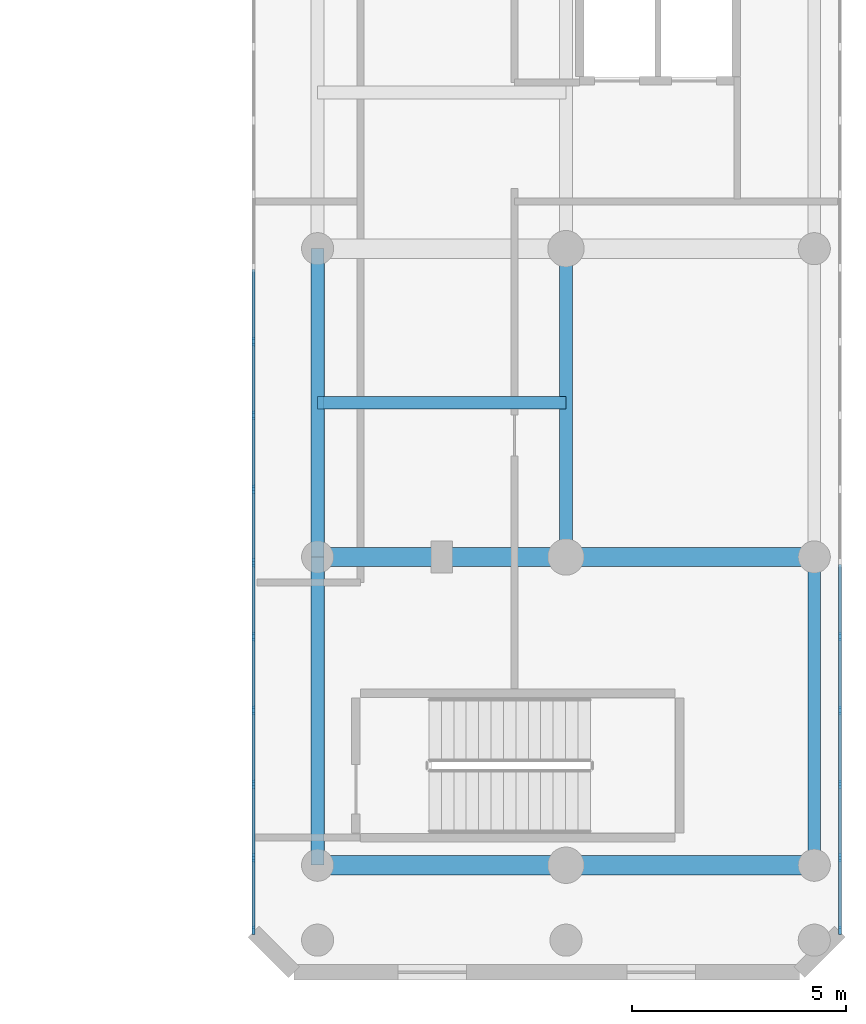
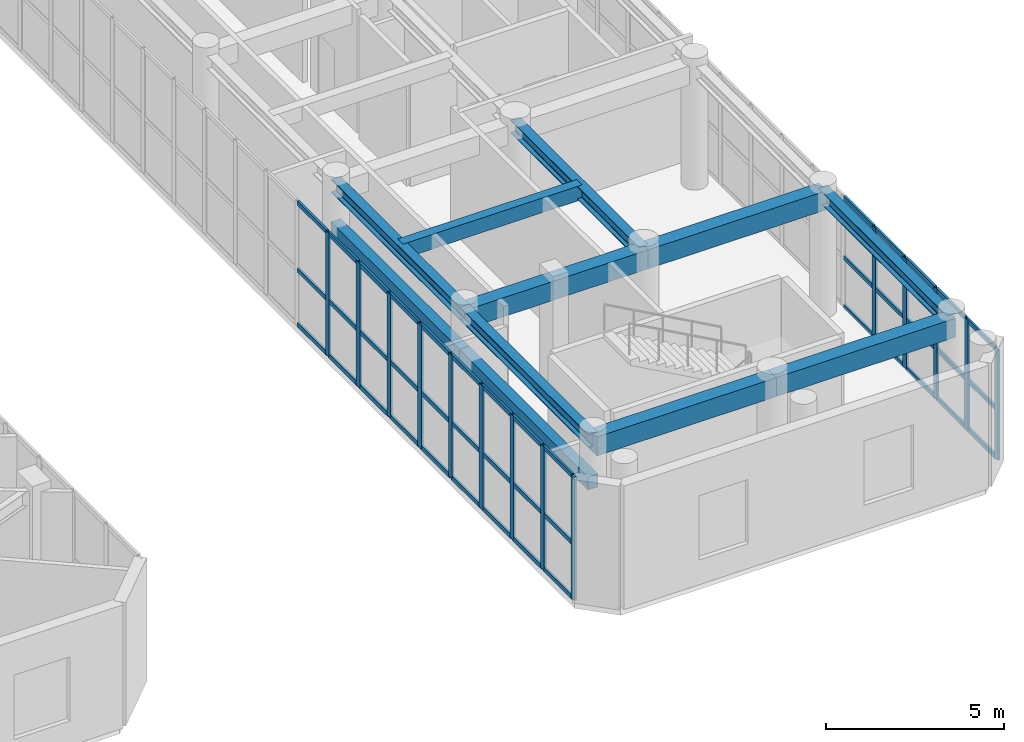
# One storey, part 5 of 24: 56 members, 11 beams, 2 elements without a shape of their own.
"""IFC4 building model written with IfcOpenShell, lengths in metres."""

from ifc_helpers import new_model, si_unit, direction, frame, origin, origin_with_axes, origin_2d, place, context, subcontext, project, spatial, rectangle, i_section, extrude, source, transform, mapped, material, layer, layer_set, material_profile, profile_set, type_object, element, aggregate, save


model = new_model("IFC4")

# Units and contexts
model_context = context("Model", 3, precision=1e-05, world=origin(), true_north=direction((0.0, 1.0)))
body_context = subcontext(model_context, "Body", "Model", "MODEL_VIEW")
ifc_project = project(units=[si_unit("LENGTHUNIT", "METRE"), si_unit("AREAUNIT", "SQUARE_METRE"), si_unit("VOLUMEUNIT", "CUBIC_METRE"), si_unit("PLANEANGLEUNIT", "RADIAN"), si_unit("MASSUNIT", "GRAM", prefix="KILO")], contexts=[model_context])

# Site, building, storey
site_placement = place(None, origin())
site = spatial("IfcSite", under=ifc_project, at=site_placement, CompositionType="ELEMENT")
building_placement = place(site_placement, origin())
building = spatial("IfcBuilding", under=site, at=building_placement, Name="Karkom Vertical University and Central Library", CompositionType="ELEMENT")
storey_placement = place(building_placement, frame((0.0, 0.0, 13.5)))
storey = spatial("IfcBuildingStorey", under=building, at=storey_placement, Name="L03", CompositionType="ELEMENT", Elevation=13.5)

# Beams
ifc_material_1 = material(Name="Concrete C40/50", Category="concrete")
ifc_material_profile_1 = material_profile(ifc_material_1, rectangle(XDim=0.449951171875, YDim=0.64990234375, at=origin_2d()), Name="RCB-450x650")
ifc_profile_set_1 = profile_set([ifc_material_profile_1], Name="Concrete C40/50")
beam_type_1 = type_object("IfcBeamType", Name="STR-BM-BG-4", PredefinedType="USERDEFINED", material=ifc_profile_set_1)
shared_shape_1 = source(origin_with_axes(), body_context, "Body", "SweptSolid", [
    extrude(rectangle(XDim=0.449951171875, YDim=0.64990234375, at=origin_2d()), origin(), (0.0, 0.0, 1.0), 5.7998046875),
])
for number, where, z_axis, x_axis, name in (
    (1, (69.60009765625, 4.800048828125, 3.89990234375), (1.0, 0.0, 0.0), (0.0, 1.0, 0.0), "Level 03 Library Transverse Girder 1.1"),
    (2, (69.60009765625, 12.0, 3.89990234375), (1.0, 0.0, 0.0), (0.0, 1.0, 0.0), "Level 03 Library Transverse Girder 2.1"),
):
    element("IfcBeam", number, at=place(storey_placement, frame(where, z_axis=z_axis, x_axis=x_axis)), inside=storey, type_object=beam_type_1, Name=name, ObjectType="GIRDER", PredefinedType="USERDEFINED", context=body_context, shape_type="MappedRepresentation", body=[
        mapped(shared_shape_1, transform((0.0, 0.0, 0.0), scale=1.0)),
    ])
shared_shape_2 = source(origin_with_axes(), body_context, "Body", "SweptSolid", [
    extrude(rectangle(XDim=0.449951171875, YDim=0.64990234375, at=origin_2d()), origin(), (0.0, 0.0, 1.0), 5.800048828125),
])
for number, where, z_axis, x_axis, name in (
    (3, (75.39990234375, 4.800048828125, 3.89990234375), (1.0, 0.0, 0.0), (0.0, 1.0, 0.0), "Level 03 Library Transverse Girder 1.2"),
    (4, (75.39990234375, 12.0, 3.89990234375), (1.0, 0.0, 0.0), (0.0, 1.0, 0.0), "Level 03 Library Transverse Girder 2.2"),
):
    element("IfcBeam", number, at=place(storey_placement, frame(where, z_axis=z_axis, x_axis=x_axis)), inside=storey, type_object=beam_type_1, Name=name, ObjectType="GIRDER", PredefinedType="USERDEFINED", context=body_context, shape_type="MappedRepresentation", body=[
        mapped(shared_shape_2, transform((0.0, 0.0, 0.0), scale=1.0)),
    ])
ifc_material_2 = material(Name="Steel S355", Category="steel")
ifc_material_profile_2 = material_profile(ifc_material_2, i_section(OverallWidth=0.300048828125, OverallDepth=0.449951171875, WebThickness=0.013916015625, FlangeThickness=0.02587890625, FilletRadius=0.027099609375, at=origin_2d()), Name="HE 450 B")
ifc_profile_set_2 = profile_set([ifc_material_profile_2], Name="Steel S355")
beam_type_2 = type_object("IfcBeamType", Name="STR-BM-SB-HE450", PredefinedType="BEAM", material=ifc_profile_set_2)
shared_shape_3 = source(origin_with_axes(), body_context, "Body", "SweptSolid", [
    extrude(i_section(OverallWidth=0.300048828125, OverallDepth=0.449951171875, WebThickness=0.013916015625, FlangeThickness=0.02587890625, FilletRadius=0.027099609375, at=origin_2d()), origin(), (0.0, 0.0, 1.0), 7.199951171875),
])
for number, where, z_axis, x_axis, name in (
    (5, (69.60009765625, 4.800048828125, 4.0), (0.0, 1.0, 0.0), (-1.0, 0.0, 0.0), "Level 03 Library Longitudinal Beam 1.1"),
    (6, (69.60009765625, 12.0, 4.0), (0.0, 1.0, 0.0), (-1.0, 0.0, 0.0), "Level 03 Library Longitudinal Beam 1.2"),
    (7, (75.39990234375, 12.0, 4.0), (0.0, 1.0, 0.0), (-1.0, 0.0, 0.0), "Level 03 Library Longitudinal Beam 2.2"),
    (8, (81.199951171875, 4.800048828125, 4.0), (0.0, 1.0, 0.0), (-1.0, 0.0, 0.0), "Level 03 Library Longitudinal Beam 3.1"),
):
    element("IfcBeam", number, at=place(storey_placement, frame(where, z_axis=z_axis, x_axis=x_axis)), inside=storey, type_object=beam_type_2, Name=name, PredefinedType="BEAM", context=body_context, shape_type="MappedRepresentation", body=[
        mapped(shared_shape_3, transform((0.0, 0.0, 0.0), scale=1.0)),
    ])
ifc_material_profile_3 = material_profile(ifc_material_1, rectangle(XDim=0.300048828125, YDim=0.5, at=origin_2d()), Name="RCJ-300x500")
ifc_profile_set_3 = profile_set([ifc_material_profile_3], Name="Concrete C40/50")
beam_type_3 = type_object("IfcBeamType", Name="STR-BM-JS-1", PredefinedType="JOIST", material=ifc_profile_set_3)
shared_shape_4 = source(origin_with_axes(), body_context, "Body", "SweptSolid", [
    extrude(rectangle(XDim=0.300048828125, YDim=0.5, at=origin_2d()), origin(), (0.0, 0.0, 1.0), 5.7998046875),
])
beam_placement = place(storey_placement, frame((69.60009765625, 15.60009765625, 3.97509765625), z_axis=(1.0, 0.0, 0.0), x_axis=(0.0, 1.0, 0.0)))
element("IfcBeam", 9, at=beam_placement, inside=storey, type_object=beam_type_3, Name="Level 03 Library Reading Coffered Joist 2", PredefinedType="JOIST", context=body_context, shape_type="MappedRepresentation", body=[
    mapped(shared_shape_4, transform((0.0, 0.0, 0.0), scale=1.0)),
])
ifc_material_3 = material(Name="Precast concrete C45/55", Category="concrete")
ifc_material_profile_4 = material_profile(ifc_material_3, rectangle(XDim=0.320068359375, YDim=0.449951171875, at=origin_2d()), Name="RCL-320x450")
ifc_profile_set_4 = profile_set([ifc_material_profile_4], Name="Precast concrete C45/55")
beam_type_4 = type_object("IfcBeamType", Name="STR-BM-LN-1", PredefinedType="LINTEL", material=ifc_profile_set_4)
shared_shape_5 = source(origin_with_axes(), body_context, "Body", "SweptSolid", [
    extrude(rectangle(XDim=0.320068359375, YDim=0.449951171875, at=origin_2d()), origin(), (0.0, 0.0, 1.0), 7.199951171875),
])
for number, where, z_axis, x_axis, name in (
    (10, (69.60009765625, 4.800048828125, 2.550048828125), (0.0, 1.0, 0.0), (-1.0, 0.0, 0.0), "Level 03 Brutalist Concrete Portal Lintel 1"),
    (11, (69.60009765625, 12.0, 2.550048828125), (0.0, 1.0, 0.0), (-1.0, 0.0, 0.0), "Level 03 Brutalist Concrete Portal Lintel 2"),
):
    element("IfcBeam", number, at=place(storey_placement, frame(where, z_axis=z_axis, x_axis=x_axis)), inside=storey, type_object=beam_type_4, Name=name, PredefinedType="LINTEL", context=body_context, shape_type="MappedRepresentation", body=[
        mapped(shared_shape_5, transform((0.0, 0.0, 0.0), scale=1.0)),
    ])

# Curtain wall, members
ifc_material_4 = material(Name="Aluminium curtain-wall framing and low-E IGU", Category="aluminium")
ifc_layer = layer(ifc_material_4, 0.199951171875)
ifc_layer_set = layer_set([ifc_layer], Name="Aluminium curtain-wall framing and low-E IGU")
curtain_wall_type = type_object("IfcCurtainWallType", Name="ENV-CW-1", PredefinedType="USERDEFINED", material=ifc_layer_set)
curtain_wall_1_placement = place(storey_placement, origin())
curtain_wall_1 = element("IfcCurtainWall", 12, at=curtain_wall_1_placement, inside=storey, type_object=curtain_wall_type, Name="Level 03 CW-1 Curtain Wall Level 03-CW-1-LIB-3", ObjectType="STICK MULLION GLAZING", PredefinedType="USERDEFINED")
ifc_material_5 = material(Name="Anodised Aluminium 6063-T6", Category="aluminium")
ifc_material_profile_5 = material_profile(ifc_material_5, rectangle(XDim=0.070068359375, YDim=0.199951171875, at=origin_2d()), Name="ALU-M70x200")
ifc_profile_set_5 = profile_set([ifc_material_profile_5], Name="Anodised Aluminium 6063-T6")
member_type_1 = type_object("IfcMemberType", Name="ENV-MEM-ALU-M70x200", PredefinedType="MULLION", material=ifc_profile_set_5)
shared_shape_6 = source(origin_with_axes(), body_context, "Body", "SweptSolid", [
    extrude(rectangle(XDim=0.070068359375, YDim=0.199951171875, at=origin_2d()), origin(), (0.0, 0.0, 1.0), 3.77490234375),
])
member_1_placement = place(storey_placement, frame((81.800048828125, 3.284912109375, 0.0), z_axis=(0.0, 0.0, 1.0), x_axis=(-1.0, 0.0, 0.0)))
member_1 = element("IfcMember", 13, at=member_1_placement, type_object=member_type_1, Name="CW-1 mullion 1", PredefinedType="MULLION", context=body_context, shape_type="MappedRepresentation", body=[
    mapped(shared_shape_6, transform((0.0, 0.0, 0.0), scale=1.0)),
])
member_2_placement = place(storey_placement, frame((81.800048828125, 4.97216796875, 0.0), z_axis=(0.0, 0.0, 1.0), x_axis=(-1.0, 0.0, 0.0)))
member_2 = element("IfcMember", 14, at=member_2_placement, type_object=member_type_1, Name="CW-1 mullion 2", PredefinedType="MULLION", context=body_context, shape_type="MappedRepresentation", body=[
    mapped(shared_shape_6, transform((0.0, 0.0, 0.0), scale=1.0)),
])
member_3_placement = place(storey_placement, frame((81.800048828125, 6.6943359375, 0.0), z_axis=(0.0, 0.0, 1.0), x_axis=(-1.0, 0.0, 0.0)))
member_3 = element("IfcMember", 15, at=member_3_placement, type_object=member_type_1, Name="CW-1 mullion 3", PredefinedType="MULLION", context=body_context, shape_type="MappedRepresentation", body=[
    mapped(shared_shape_6, transform((0.0, 0.0, 0.0), scale=1.0)),
])
member_4_placement = place(storey_placement, frame((81.800048828125, 8.416748046875, 0.0), z_axis=(0.0, 0.0, 1.0), x_axis=(-1.0, 0.0, 0.0)))
member_4 = element("IfcMember", 16, at=member_4_placement, type_object=member_type_1, Name="CW-1 mullion 4", PredefinedType="MULLION", context=body_context, shape_type="MappedRepresentation", body=[
    mapped(shared_shape_6, transform((0.0, 0.0, 0.0), scale=1.0)),
])
member_5_placement = place(storey_placement, frame((81.800048828125, 10.138916015625, 0.0), z_axis=(0.0, 0.0, 1.0), x_axis=(-1.0, 0.0, 0.0)))
member_5 = element("IfcMember", 17, at=member_5_placement, type_object=member_type_1, Name="CW-1 mullion 5", PredefinedType="MULLION", context=body_context, shape_type="MappedRepresentation", body=[
    mapped(shared_shape_6, transform((0.0, 0.0, 0.0), scale=1.0)),
])
ifc_material_profile_6 = material_profile(ifc_material_5, rectangle(XDim=0.070068359375, YDim=0.14990234375, at=origin_2d()), Name="ALU-T70x150")
ifc_profile_set_6 = profile_set([ifc_material_profile_6], Name="Anodised Aluminium 6063-T6")
member_type_2 = type_object("IfcMemberType", Name="ENV-MEM-ALU-T70x150", PredefinedType="USERDEFINED", material=ifc_profile_set_6)
shared_shape_7 = source(origin_with_axes(), body_context, "Body", "SweptSolid", [
    extrude(rectangle(XDim=0.070068359375, YDim=0.14990234375, at=origin_2d()), origin(), (0.0, 0.0, 1.0), 1.6171875),
])
member_6_placement = place(storey_placement, frame((81.800048828125, 3.320068359375, 0.034912109375), z_axis=(0.0, 1.0, 0.0), x_axis=(-1.0, 0.0, 0.0)))
member_6 = element("IfcMember", 18, at=member_6_placement, type_object=member_type_2, Name="CW-1 transom 1.1", ObjectType="TRANSOM", PredefinedType="USERDEFINED", context=body_context, shape_type="MappedRepresentation", body=[
    mapped(shared_shape_7, transform((0.0, 0.0, 0.0), scale=1.0)),
])
member_7_placement = place(storey_placement, frame((81.800048828125, 3.320068359375, 1.69873046875), z_axis=(0.0, 1.0, 0.0), x_axis=(-1.0, 0.0, 0.0)))
member_7 = element("IfcMember", 19, at=member_7_placement, type_object=member_type_2, Name="CW-1 transom 1.2", ObjectType="TRANSOM", PredefinedType="USERDEFINED", context=body_context, shape_type="MappedRepresentation", body=[
    mapped(shared_shape_7, transform((0.0, 0.0, 0.0), scale=1.0)),
])
member_8_placement = place(storey_placement, frame((81.800048828125, 3.320068359375, 3.739990234375), z_axis=(0.0, 1.0, 0.0), x_axis=(-1.0, 0.0, 0.0)))
member_8 = element("IfcMember", 20, at=member_8_placement, type_object=member_type_2, Name="CW-1 transom 1.3", ObjectType="TRANSOM", PredefinedType="USERDEFINED", context=body_context, shape_type="MappedRepresentation", body=[
    mapped(shared_shape_7, transform((0.0, 0.0, 0.0), scale=1.0)),
])

curtain_wall_2_placement = place(storey_placement, origin())
curtain_wall_2 = element("IfcCurtainWall", 21, at=curtain_wall_2_placement, inside=storey, type_object=curtain_wall_type, Name="Level 03 CW-1 Curtain Wall Level 03-CW-1-LIB-7", ObjectType="STICK MULLION GLAZING", PredefinedType="USERDEFINED")
member_9_placement = place(storey_placement, frame((68.10009765625, 4.937255859375, 0.034912109375), z_axis=(0.0, -1.0, 0.0), x_axis=(1.0, 0.0, 0.0)))
member_9 = element("IfcMember", 22, at=member_9_placement, type_object=member_type_2, Name="CW-1 transom 27.1", ObjectType="TRANSOM", PredefinedType="USERDEFINED", context=body_context, shape_type="MappedRepresentation", body=[
    mapped(shared_shape_7, transform((0.0, 0.0, 0.0), scale=1.0)),
])
member_10_placement = place(storey_placement, frame((68.10009765625, 4.937255859375, 1.901123046875), z_axis=(0.0, -1.0, 0.0), x_axis=(1.0, 0.0, 0.0)))
member_10 = element("IfcMember", 23, at=member_10_placement, type_object=member_type_2, Name="CW-1 transom 27.2", ObjectType="TRANSOM", PredefinedType="USERDEFINED", context=body_context, shape_type="MappedRepresentation", body=[
    mapped(shared_shape_7, transform((0.0, 0.0, 0.0), scale=1.0)),
])
member_11_placement = place(storey_placement, frame((68.10009765625, 4.937255859375, 4.18994140625), z_axis=(0.0, -1.0, 0.0), x_axis=(1.0, 0.0, 0.0)))
member_11 = element("IfcMember", 24, at=member_11_placement, type_object=member_type_2, Name="CW-1 transom 27.3", ObjectType="TRANSOM", PredefinedType="USERDEFINED", context=body_context, shape_type="MappedRepresentation", body=[
    mapped(shared_shape_7, transform((0.0, 0.0, 0.0), scale=1.0)),
])

# Member
shared_shape_8 = source(origin_with_axes(), body_context, "Body", "SweptSolid", [
    extrude(rectangle(XDim=0.070068359375, YDim=0.14990234375, at=origin_2d()), origin(), (0.0, 0.0, 1.0), 1.652099609375),
])
member_12_placement = place(storey_placement, frame((81.800048828125, 5.00732421875, 0.034912109375), z_axis=(0.0, 1.0, 0.0), x_axis=(-1.0, 0.0, 0.0)))
member_12 = element("IfcMember", 25, at=member_12_placement, type_object=member_type_2, Name="CW-1 transom 2.1", ObjectType="TRANSOM", PredefinedType="USERDEFINED", context=body_context, shape_type="MappedRepresentation", body=[
    mapped(shared_shape_8, transform((0.0, 0.0, 0.0), scale=1.0)),
])

member_13_placement = place(storey_placement, frame((81.800048828125, 5.00732421875, 1.69873046875), z_axis=(0.0, 1.0, 0.0), x_axis=(-1.0, 0.0, 0.0)))
member_13 = element("IfcMember", 26, at=member_13_placement, type_object=member_type_2, Name="CW-1 transom 2.2", ObjectType="TRANSOM", PredefinedType="USERDEFINED", context=body_context, shape_type="MappedRepresentation", body=[
    mapped(shared_shape_8, transform((0.0, 0.0, 0.0), scale=1.0)),
])

member_14_placement = place(storey_placement, frame((81.800048828125, 5.00732421875, 3.739990234375), z_axis=(0.0, 1.0, 0.0), x_axis=(-1.0, 0.0, 0.0)))
member_14 = element("IfcMember", 27, at=member_14_placement, type_object=member_type_2, Name="CW-1 transom 2.3", ObjectType="TRANSOM", PredefinedType="USERDEFINED", context=body_context, shape_type="MappedRepresentation", body=[
    mapped(shared_shape_8, transform((0.0, 0.0, 0.0), scale=1.0)),
])

member_15_placement = place(storey_placement, frame((81.800048828125, 6.7294921875, 0.034912109375), z_axis=(0.0, 1.0, 0.0), x_axis=(-1.0, 0.0, 0.0)))
member_15 = element("IfcMember", 28, at=member_15_placement, type_object=member_type_2, Name="CW-1 transom 3.1", ObjectType="TRANSOM", PredefinedType="USERDEFINED", context=body_context, shape_type="MappedRepresentation", body=[
    mapped(shared_shape_8, transform((0.0, 0.0, 0.0), scale=1.0)),
])

member_16_placement = place(storey_placement, frame((81.800048828125, 6.7294921875, 1.69873046875), z_axis=(0.0, 1.0, 0.0), x_axis=(-1.0, 0.0, 0.0)))
member_16 = element("IfcMember", 29, at=member_16_placement, type_object=member_type_2, Name="CW-1 transom 3.2", ObjectType="TRANSOM", PredefinedType="USERDEFINED", context=body_context, shape_type="MappedRepresentation", body=[
    mapped(shared_shape_8, transform((0.0, 0.0, 0.0), scale=1.0)),
])

member_17_placement = place(storey_placement, frame((81.800048828125, 6.7294921875, 3.739990234375), z_axis=(0.0, 1.0, 0.0), x_axis=(-1.0, 0.0, 0.0)))
member_17 = element("IfcMember", 30, at=member_17_placement, type_object=member_type_2, Name="CW-1 transom 3.3", ObjectType="TRANSOM", PredefinedType="USERDEFINED", context=body_context, shape_type="MappedRepresentation", body=[
    mapped(shared_shape_8, transform((0.0, 0.0, 0.0), scale=1.0)),
])

member_18_placement = place(storey_placement, frame((68.10009765625, 16.99267578125, 0.034912109375), z_axis=(0.0, -1.0, 0.0), x_axis=(1.0, 0.0, 0.0)))
member_18 = element("IfcMember", 31, at=member_18_placement, type_object=member_type_2, Name="CW-1 transom 20.1", ObjectType="TRANSOM", PredefinedType="USERDEFINED", context=body_context, shape_type="MappedRepresentation", body=[
    mapped(shared_shape_8, transform((0.0, 0.0, 0.0), scale=1.0)),
])

member_19_placement = place(storey_placement, frame((68.10009765625, 16.99267578125, 1.901123046875), z_axis=(0.0, -1.0, 0.0), x_axis=(1.0, 0.0, 0.0)))
member_19 = element("IfcMember", 32, at=member_19_placement, type_object=member_type_2, Name="CW-1 transom 20.2", ObjectType="TRANSOM", PredefinedType="USERDEFINED", context=body_context, shape_type="MappedRepresentation", body=[
    mapped(shared_shape_8, transform((0.0, 0.0, 0.0), scale=1.0)),
])

member_20_placement = place(storey_placement, frame((68.10009765625, 16.99267578125, 4.18994140625), z_axis=(0.0, -1.0, 0.0), x_axis=(1.0, 0.0, 0.0)))
member_20 = element("IfcMember", 33, at=member_20_placement, type_object=member_type_2, Name="CW-1 transom 20.3", ObjectType="TRANSOM", PredefinedType="USERDEFINED", context=body_context, shape_type="MappedRepresentation", body=[
    mapped(shared_shape_8, transform((0.0, 0.0, 0.0), scale=1.0)),
])

member_21_placement = place(storey_placement, frame((68.10009765625, 15.2705078125, 0.034912109375), z_axis=(0.0, -1.0, 0.0), x_axis=(1.0, 0.0, 0.0)))
member_21 = element("IfcMember", 34, at=member_21_placement, type_object=member_type_2, Name="CW-1 transom 21.1", ObjectType="TRANSOM", PredefinedType="USERDEFINED", context=body_context, shape_type="MappedRepresentation", body=[
    mapped(shared_shape_8, transform((0.0, 0.0, 0.0), scale=1.0)),
])

member_22_placement = place(storey_placement, frame((68.10009765625, 15.2705078125, 1.901123046875), z_axis=(0.0, -1.0, 0.0), x_axis=(1.0, 0.0, 0.0)))
member_22 = element("IfcMember", 35, at=member_22_placement, type_object=member_type_2, Name="CW-1 transom 21.2", ObjectType="TRANSOM", PredefinedType="USERDEFINED", context=body_context, shape_type="MappedRepresentation", body=[
    mapped(shared_shape_8, transform((0.0, 0.0, 0.0), scale=1.0)),
])

member_23_placement = place(storey_placement, frame((68.10009765625, 15.2705078125, 4.18994140625), z_axis=(0.0, -1.0, 0.0), x_axis=(1.0, 0.0, 0.0)))
member_23 = element("IfcMember", 36, at=member_23_placement, type_object=member_type_2, Name="CW-1 transom 21.3", ObjectType="TRANSOM", PredefinedType="USERDEFINED", context=body_context, shape_type="MappedRepresentation", body=[
    mapped(shared_shape_8, transform((0.0, 0.0, 0.0), scale=1.0)),
])

member_24_placement = place(storey_placement, frame((68.10009765625, 8.381591796875, 0.034912109375), z_axis=(0.0, -1.0, 0.0), x_axis=(1.0, 0.0, 0.0)))
member_24 = element("IfcMember", 37, at=member_24_placement, type_object=member_type_2, Name="CW-1 transom 25.1", ObjectType="TRANSOM", PredefinedType="USERDEFINED", context=body_context, shape_type="MappedRepresentation", body=[
    mapped(shared_shape_8, transform((0.0, 0.0, 0.0), scale=1.0)),
])

member_25_placement = place(storey_placement, frame((68.10009765625, 8.381591796875, 1.901123046875), z_axis=(0.0, -1.0, 0.0), x_axis=(1.0, 0.0, 0.0)))
member_25 = element("IfcMember", 38, at=member_25_placement, type_object=member_type_2, Name="CW-1 transom 25.2", ObjectType="TRANSOM", PredefinedType="USERDEFINED", context=body_context, shape_type="MappedRepresentation", body=[
    mapped(shared_shape_8, transform((0.0, 0.0, 0.0), scale=1.0)),
])

member_26_placement = place(storey_placement, frame((68.10009765625, 8.381591796875, 4.18994140625), z_axis=(0.0, -1.0, 0.0), x_axis=(1.0, 0.0, 0.0)))
member_26 = element("IfcMember", 39, at=member_26_placement, type_object=member_type_2, Name="CW-1 transom 25.3", ObjectType="TRANSOM", PredefinedType="USERDEFINED", context=body_context, shape_type="MappedRepresentation", body=[
    mapped(shared_shape_8, transform((0.0, 0.0, 0.0), scale=1.0)),
])

member_27_placement = place(storey_placement, frame((68.10009765625, 6.659423828125, 0.034912109375), z_axis=(0.0, -1.0, 0.0), x_axis=(1.0, 0.0, 0.0)))
member_27 = element("IfcMember", 40, at=member_27_placement, type_object=member_type_2, Name="CW-1 transom 26.1", ObjectType="TRANSOM", PredefinedType="USERDEFINED", context=body_context, shape_type="MappedRepresentation", body=[
    mapped(shared_shape_8, transform((0.0, 0.0, 0.0), scale=1.0)),
])

member_28_placement = place(storey_placement, frame((68.10009765625, 6.659423828125, 1.901123046875), z_axis=(0.0, -1.0, 0.0), x_axis=(1.0, 0.0, 0.0)))
member_28 = element("IfcMember", 41, at=member_28_placement, type_object=member_type_2, Name="CW-1 transom 26.2", ObjectType="TRANSOM", PredefinedType="USERDEFINED", context=body_context, shape_type="MappedRepresentation", body=[
    mapped(shared_shape_8, transform((0.0, 0.0, 0.0), scale=1.0)),
])

member_29_placement = place(storey_placement, frame((68.10009765625, 6.659423828125, 4.18994140625), z_axis=(0.0, -1.0, 0.0), x_axis=(1.0, 0.0, 0.0)))
member_29 = element("IfcMember", 42, at=member_29_placement, type_object=member_type_2, Name="CW-1 transom 26.3", ObjectType="TRANSOM", PredefinedType="USERDEFINED", context=body_context, shape_type="MappedRepresentation", body=[
    mapped(shared_shape_8, transform((0.0, 0.0, 0.0), scale=1.0)),
])

shared_shape_9 = source(origin_with_axes(), body_context, "Body", "SweptSolid", [
    extrude(rectangle(XDim=0.070068359375, YDim=0.14990234375, at=origin_2d()), origin(), (0.0, 0.0, 1.0), 1.65234375),
])
member_30_placement = place(storey_placement, frame((81.800048828125, 8.45166015625, 0.034912109375), z_axis=(0.0, 1.0, 0.0), x_axis=(-1.0, 0.0, 0.0)))
member_30 = element("IfcMember", 43, at=member_30_placement, type_object=member_type_2, Name="CW-1 transom 4.1", ObjectType="TRANSOM", PredefinedType="USERDEFINED", context=body_context, shape_type="MappedRepresentation", body=[
    mapped(shared_shape_9, transform((0.0, 0.0, 0.0), scale=1.0)),
])

member_31_placement = place(storey_placement, frame((81.800048828125, 8.45166015625, 1.69873046875), z_axis=(0.0, 1.0, 0.0), x_axis=(-1.0, 0.0, 0.0)))
member_31 = element("IfcMember", 44, at=member_31_placement, type_object=member_type_2, Name="CW-1 transom 4.2", ObjectType="TRANSOM", PredefinedType="USERDEFINED", context=body_context, shape_type="MappedRepresentation", body=[
    mapped(shared_shape_9, transform((0.0, 0.0, 0.0), scale=1.0)),
])

member_32_placement = place(storey_placement, frame((81.800048828125, 8.45166015625, 3.739990234375), z_axis=(0.0, 1.0, 0.0), x_axis=(-1.0, 0.0, 0.0)))
member_32 = element("IfcMember", 45, at=member_32_placement, type_object=member_type_2, Name="CW-1 transom 4.3", ObjectType="TRANSOM", PredefinedType="USERDEFINED", context=body_context, shape_type="MappedRepresentation", body=[
    mapped(shared_shape_9, transform((0.0, 0.0, 0.0), scale=1.0)),
])

member_33_placement = place(storey_placement, frame((81.800048828125, 10.173828125, 0.034912109375), z_axis=(0.0, 1.0, 0.0), x_axis=(-1.0, 0.0, 0.0)))
member_33 = element("IfcMember", 46, at=member_33_placement, type_object=member_type_2, Name="CW-1 transom 5.1", ObjectType="TRANSOM", PredefinedType="USERDEFINED", context=body_context, shape_type="MappedRepresentation", body=[
    mapped(shared_shape_9, transform((0.0, 0.0, 0.0), scale=1.0)),
])

member_34_placement = place(storey_placement, frame((81.800048828125, 10.173828125, 1.69873046875), z_axis=(0.0, 1.0, 0.0), x_axis=(-1.0, 0.0, 0.0)))
member_34 = element("IfcMember", 47, at=member_34_placement, type_object=member_type_2, Name="CW-1 transom 5.2", ObjectType="TRANSOM", PredefinedType="USERDEFINED", context=body_context, shape_type="MappedRepresentation", body=[
    mapped(shared_shape_9, transform((0.0, 0.0, 0.0), scale=1.0)),
])

member_35_placement = place(storey_placement, frame((81.800048828125, 10.173828125, 3.739990234375), z_axis=(0.0, 1.0, 0.0), x_axis=(-1.0, 0.0, 0.0)))
member_35 = element("IfcMember", 48, at=member_35_placement, type_object=member_type_2, Name="CW-1 transom 5.3", ObjectType="TRANSOM", PredefinedType="USERDEFINED", context=body_context, shape_type="MappedRepresentation", body=[
    mapped(shared_shape_9, transform((0.0, 0.0, 0.0), scale=1.0)),
])

aggregate(curtain_wall_1, [member_1, member_2, member_3, member_4, member_5, member_6, member_7, member_8, member_12, member_13, member_14, member_15, member_16, member_17, member_30, member_31, member_32, member_33, member_34, member_35])

member_36_placement = place(storey_placement, frame((68.10009765625, 18.715087890625, 0.034912109375), z_axis=(0.0, -1.0, 0.0), x_axis=(1.0, 0.0, 0.0)))
member_36 = element("IfcMember", 49, at=member_36_placement, type_object=member_type_2, Name="CW-1 transom 19.1", ObjectType="TRANSOM", PredefinedType="USERDEFINED", context=body_context, shape_type="MappedRepresentation", body=[
    mapped(shared_shape_9, transform((0.0, 0.0, 0.0), scale=1.0)),
])

member_37_placement = place(storey_placement, frame((68.10009765625, 18.715087890625, 1.901123046875), z_axis=(0.0, -1.0, 0.0), x_axis=(1.0, 0.0, 0.0)))
member_37 = element("IfcMember", 50, at=member_37_placement, type_object=member_type_2, Name="CW-1 transom 19.2", ObjectType="TRANSOM", PredefinedType="USERDEFINED", context=body_context, shape_type="MappedRepresentation", body=[
    mapped(shared_shape_9, transform((0.0, 0.0, 0.0), scale=1.0)),
])

member_38_placement = place(storey_placement, frame((68.10009765625, 18.715087890625, 4.18994140625), z_axis=(0.0, -1.0, 0.0), x_axis=(1.0, 0.0, 0.0)))
member_38 = element("IfcMember", 51, at=member_38_placement, type_object=member_type_2, Name="CW-1 transom 19.3", ObjectType="TRANSOM", PredefinedType="USERDEFINED", context=body_context, shape_type="MappedRepresentation", body=[
    mapped(shared_shape_9, transform((0.0, 0.0, 0.0), scale=1.0)),
])

member_39_placement = place(storey_placement, frame((68.10009765625, 13.54833984375, 0.034912109375), z_axis=(0.0, -1.0, 0.0), x_axis=(1.0, 0.0, 0.0)))
member_39 = element("IfcMember", 52, at=member_39_placement, type_object=member_type_2, Name="CW-1 transom 22.1", ObjectType="TRANSOM", PredefinedType="USERDEFINED", context=body_context, shape_type="MappedRepresentation", body=[
    mapped(shared_shape_9, transform((0.0, 0.0, 0.0), scale=1.0)),
])

member_40_placement = place(storey_placement, frame((68.10009765625, 13.54833984375, 1.901123046875), z_axis=(0.0, -1.0, 0.0), x_axis=(1.0, 0.0, 0.0)))
member_40 = element("IfcMember", 53, at=member_40_placement, type_object=member_type_2, Name="CW-1 transom 22.2", ObjectType="TRANSOM", PredefinedType="USERDEFINED", context=body_context, shape_type="MappedRepresentation", body=[
    mapped(shared_shape_9, transform((0.0, 0.0, 0.0), scale=1.0)),
])

member_41_placement = place(storey_placement, frame((68.10009765625, 13.54833984375, 4.18994140625), z_axis=(0.0, -1.0, 0.0), x_axis=(1.0, 0.0, 0.0)))
member_41 = element("IfcMember", 54, at=member_41_placement, type_object=member_type_2, Name="CW-1 transom 22.3", ObjectType="TRANSOM", PredefinedType="USERDEFINED", context=body_context, shape_type="MappedRepresentation", body=[
    mapped(shared_shape_9, transform((0.0, 0.0, 0.0), scale=1.0)),
])

member_42_placement = place(storey_placement, frame((68.10009765625, 11.826171875, 0.034912109375), z_axis=(0.0, -1.0, 0.0), x_axis=(1.0, 0.0, 0.0)))
member_42 = element("IfcMember", 55, at=member_42_placement, type_object=member_type_2, Name="CW-1 transom 23.1", ObjectType="TRANSOM", PredefinedType="USERDEFINED", context=body_context, shape_type="MappedRepresentation", body=[
    mapped(shared_shape_9, transform((0.0, 0.0, 0.0), scale=1.0)),
])

member_43_placement = place(storey_placement, frame((68.10009765625, 11.826171875, 1.901123046875), z_axis=(0.0, -1.0, 0.0), x_axis=(1.0, 0.0, 0.0)))
member_43 = element("IfcMember", 56, at=member_43_placement, type_object=member_type_2, Name="CW-1 transom 23.2", ObjectType="TRANSOM", PredefinedType="USERDEFINED", context=body_context, shape_type="MappedRepresentation", body=[
    mapped(shared_shape_9, transform((0.0, 0.0, 0.0), scale=1.0)),
])

member_44_placement = place(storey_placement, frame((68.10009765625, 11.826171875, 4.18994140625), z_axis=(0.0, -1.0, 0.0), x_axis=(1.0, 0.0, 0.0)))
member_44 = element("IfcMember", 57, at=member_44_placement, type_object=member_type_2, Name="CW-1 transom 23.3", ObjectType="TRANSOM", PredefinedType="USERDEFINED", context=body_context, shape_type="MappedRepresentation", body=[
    mapped(shared_shape_9, transform((0.0, 0.0, 0.0), scale=1.0)),
])

member_45_placement = place(storey_placement, frame((68.10009765625, 10.10400390625, 0.034912109375), z_axis=(0.0, -1.0, 0.0), x_axis=(1.0, 0.0, 0.0)))
member_45 = element("IfcMember", 58, at=member_45_placement, type_object=member_type_2, Name="CW-1 transom 24.1", ObjectType="TRANSOM", PredefinedType="USERDEFINED", context=body_context, shape_type="MappedRepresentation", body=[
    mapped(shared_shape_9, transform((0.0, 0.0, 0.0), scale=1.0)),
])

member_46_placement = place(storey_placement, frame((68.10009765625, 10.10400390625, 1.901123046875), z_axis=(0.0, -1.0, 0.0), x_axis=(1.0, 0.0, 0.0)))
member_46 = element("IfcMember", 59, at=member_46_placement, type_object=member_type_2, Name="CW-1 transom 24.2", ObjectType="TRANSOM", PredefinedType="USERDEFINED", context=body_context, shape_type="MappedRepresentation", body=[
    mapped(shared_shape_9, transform((0.0, 0.0, 0.0), scale=1.0)),
])

member_47_placement = place(storey_placement, frame((68.10009765625, 10.10400390625, 4.18994140625), z_axis=(0.0, -1.0, 0.0), x_axis=(1.0, 0.0, 0.0)))
member_47 = element("IfcMember", 60, at=member_47_placement, type_object=member_type_2, Name="CW-1 transom 24.3", ObjectType="TRANSOM", PredefinedType="USERDEFINED", context=body_context, shape_type="MappedRepresentation", body=[
    mapped(shared_shape_9, transform((0.0, 0.0, 0.0), scale=1.0)),
])

shared_shape_10 = source(origin_with_axes(), body_context, "Body", "SweptSolid", [
    extrude(rectangle(XDim=0.070068359375, YDim=0.199951171875, at=origin_2d()), origin(), (0.0, 0.0, 1.0), 4.22509765625),
])
member_48_placement = place(storey_placement, frame((68.10009765625, 17.02783203125, 0.0), z_axis=(0.0, 0.0, 1.0), x_axis=(1.0, 0.0, 0.0)))
member_48 = element("IfcMember", 61, at=member_48_placement, type_object=member_type_1, Name="CW-1 mullion 20", PredefinedType="MULLION", context=body_context, shape_type="MappedRepresentation", body=[
    mapped(shared_shape_10, transform((0.0, 0.0, 0.0), scale=1.0)),
])

member_49_placement = place(storey_placement, frame((68.10009765625, 15.3056640625, 0.0), z_axis=(0.0, 0.0, 1.0), x_axis=(1.0, 0.0, 0.0)))
member_49 = element("IfcMember", 62, at=member_49_placement, type_object=member_type_1, Name="CW-1 mullion 21", PredefinedType="MULLION", context=body_context, shape_type="MappedRepresentation", body=[
    mapped(shared_shape_10, transform((0.0, 0.0, 0.0), scale=1.0)),
])

member_50_placement = place(storey_placement, frame((68.10009765625, 13.583251953125, 0.0), z_axis=(0.0, 0.0, 1.0), x_axis=(1.0, 0.0, 0.0)))
member_50 = element("IfcMember", 63, at=member_50_placement, type_object=member_type_1, Name="CW-1 mullion 22", PredefinedType="MULLION", context=body_context, shape_type="MappedRepresentation", body=[
    mapped(shared_shape_10, transform((0.0, 0.0, 0.0), scale=1.0)),
])

member_51_placement = place(storey_placement, frame((68.10009765625, 11.861083984375, 0.0), z_axis=(0.0, 0.0, 1.0), x_axis=(1.0, 0.0, 0.0)))
member_51 = element("IfcMember", 64, at=member_51_placement, type_object=member_type_1, Name="CW-1 mullion 23", PredefinedType="MULLION", context=body_context, shape_type="MappedRepresentation", body=[
    mapped(shared_shape_10, transform((0.0, 0.0, 0.0), scale=1.0)),
])

member_52_placement = place(storey_placement, frame((68.10009765625, 10.138916015625, 0.0), z_axis=(0.0, 0.0, 1.0), x_axis=(1.0, 0.0, 0.0)))
member_52 = element("IfcMember", 65, at=member_52_placement, type_object=member_type_1, Name="CW-1 mullion 24", PredefinedType="MULLION", context=body_context, shape_type="MappedRepresentation", body=[
    mapped(shared_shape_10, transform((0.0, 0.0, 0.0), scale=1.0)),
])

member_53_placement = place(storey_placement, frame((68.10009765625, 8.416748046875, 0.0), z_axis=(0.0, 0.0, 1.0), x_axis=(1.0, 0.0, 0.0)))
member_53 = element("IfcMember", 66, at=member_53_placement, type_object=member_type_1, Name="CW-1 mullion 25", PredefinedType="MULLION", context=body_context, shape_type="MappedRepresentation", body=[
    mapped(shared_shape_10, transform((0.0, 0.0, 0.0), scale=1.0)),
])

member_54_placement = place(storey_placement, frame((68.10009765625, 6.6943359375, 0.0), z_axis=(0.0, 0.0, 1.0), x_axis=(1.0, 0.0, 0.0)))
member_54 = element("IfcMember", 67, at=member_54_placement, type_object=member_type_1, Name="CW-1 mullion 26", PredefinedType="MULLION", context=body_context, shape_type="MappedRepresentation", body=[
    mapped(shared_shape_10, transform((0.0, 0.0, 0.0), scale=1.0)),
])

member_55_placement = place(storey_placement, frame((68.10009765625, 4.97216796875, 0.0), z_axis=(0.0, 0.0, 1.0), x_axis=(1.0, 0.0, 0.0)))
member_55 = element("IfcMember", 68, at=member_55_placement, type_object=member_type_1, Name="CW-1 mullion 27", PredefinedType="MULLION", context=body_context, shape_type="MappedRepresentation", body=[
    mapped(shared_shape_10, transform((0.0, 0.0, 0.0), scale=1.0)),
])

member_56_placement = place(storey_placement, frame((68.10009765625, 3.284912109375, 0.0), z_axis=(0.0, 0.0, 1.0), x_axis=(1.0, 0.0, 0.0)))
member_56 = element("IfcMember", 69, at=member_56_placement, type_object=member_type_1, Name="CW-1 mullion 28", PredefinedType="MULLION", context=body_context, shape_type="MappedRepresentation", body=[
    mapped(shared_shape_10, transform((0.0, 0.0, 0.0), scale=1.0)),
])

aggregate(curtain_wall_2, [member_48, member_49, member_50, member_51, member_52, member_53, member_54, member_55, member_56, member_36, member_37, member_38, member_18, member_19, member_20, member_21, member_22, member_23, member_39, member_40, member_41, member_42, member_43, member_44, member_45, member_46, member_47, member_24, member_25, member_26, member_27, member_28, member_29, member_9, member_10, member_11])

save(model, "model.ifc")
